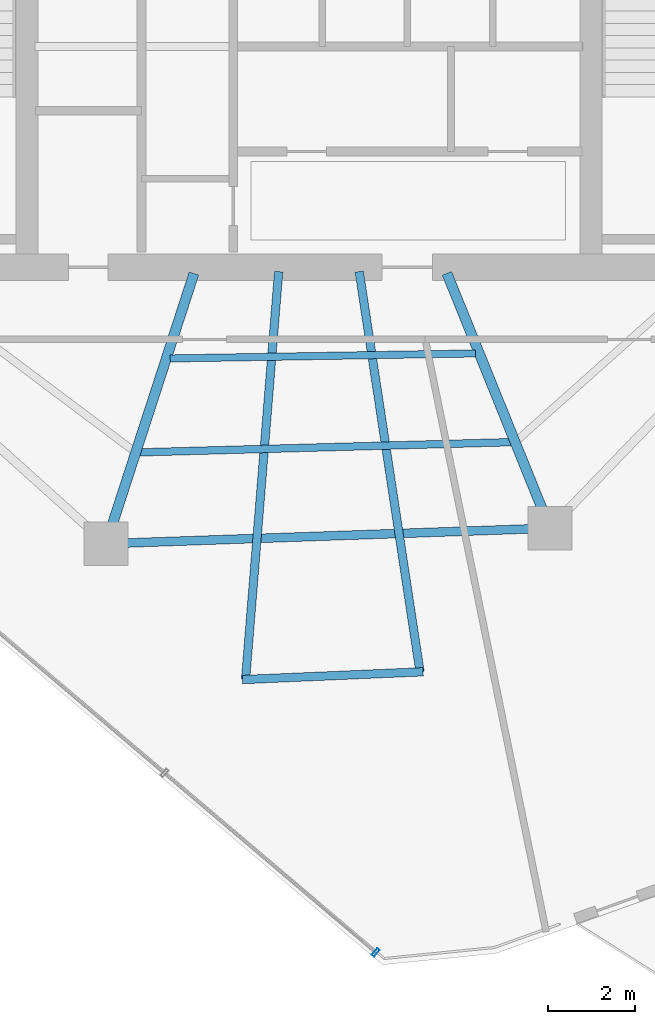
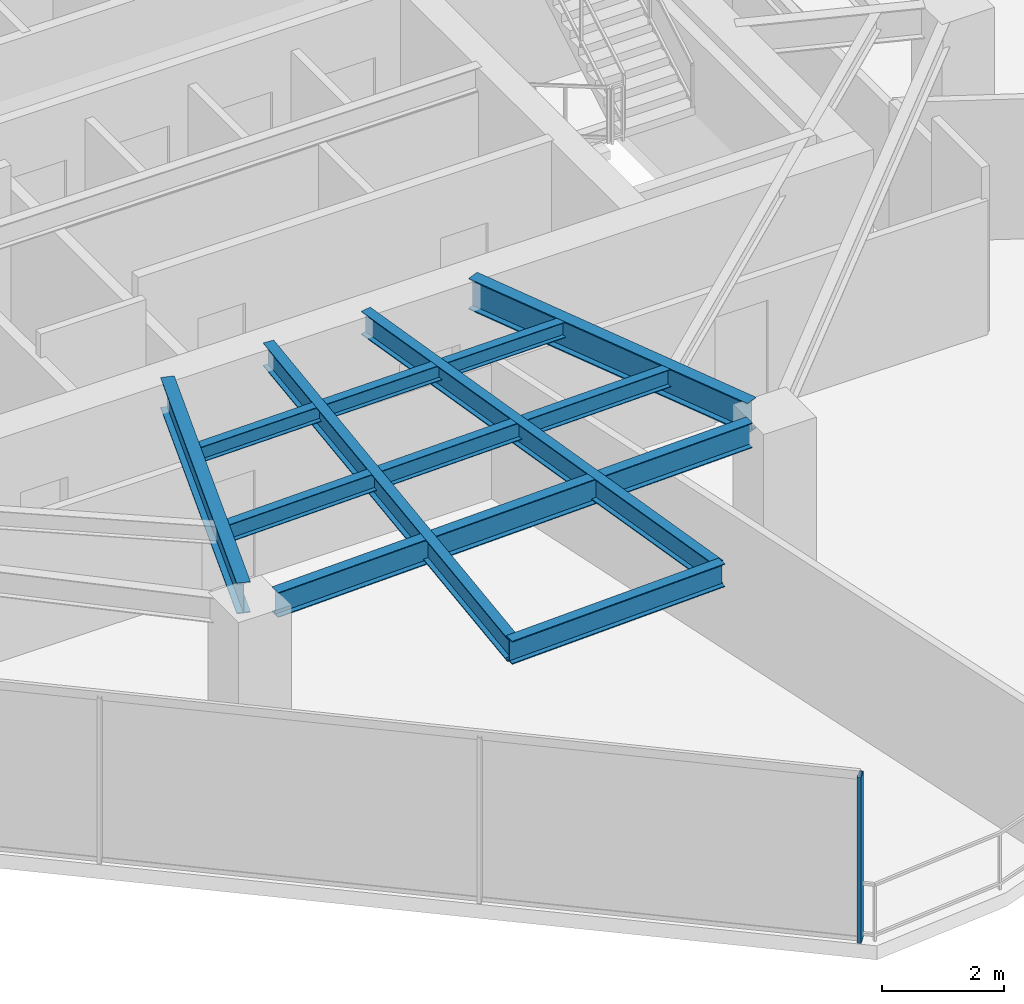
# One storey, part 5 of 21: 8 beams, 1 member, 1 element without a shape of its own.
"""IFC4 building model written with IfcOpenShell, lengths in metres."""

from ifc_helpers import new_model, si_unit, direction, frame, origin, origin_2d, place, context, subcontext, project, spatial, hollow_rectangle, i_section, extrude, material, layer, layer_set, material_profile, profile_set, type_object, element, aggregate, save


model = new_model("IFC4")

# Units and contexts
model_context = context("Model", 3, precision=1e-05, world=origin(), true_north=direction((0.0, 1.0)))
body_context = subcontext(model_context, "Body", "Model", "MODEL_VIEW")
ifc_project = project(units=[si_unit("LENGTHUNIT", "METRE"), si_unit("AREAUNIT", "SQUARE_METRE"), si_unit("VOLUMEUNIT", "CUBIC_METRE"), si_unit("PLANEANGLEUNIT", "RADIAN"), si_unit("MASSUNIT", "GRAM", prefix="KILO")], contexts=[model_context])

# Site, building, storey
site_placement = place(None, origin())
site = spatial("IfcSite", under=ifc_project, at=site_placement, CompositionType="ELEMENT")
building_placement = place(site_placement, origin())
building = spatial("IfcBuilding", under=site, at=building_placement, Name="Qarnah Convention Tower", CompositionType="ELEMENT")
storey_placement = place(building_placement, frame((0.0, 0.0, 140.10009765625)))
storey = spatial("IfcBuildingStorey", under=building, at=storey_placement, Name="L37", CompositionType="ELEMENT", Elevation=140.10009765625)

# Beams
ifc_material_1 = material(Name="Structural steel S355JR", Category="steel")
ifc_material_profile_1 = material_profile(ifc_material_1, i_section(OverallWidth=0.19189453125, OverallDepth=0.464111328125, WebThickness=0.010986328125, FlangeThickness=0.01806640625, at=origin_2d()), Name="W460X89")
ifc_profile_set_1 = profile_set([ifc_material_profile_1], Name="Structural steel S355JR")
beam_type_1 = type_object("IfcBeamType", Name="BM-CANT-W460A", PredefinedType="BEAM", material=ifc_profile_set_1)
beam_1_placement = place(storey_placement, frame((38.40087890625, 18.5009765625, 3.087890625), z_axis=(0.150195006727, -0.988656391247, 0.0), x_axis=(0.988656391247, 0.150195006727, 0.0)))
element("IfcBeam", 1, at=beam_1_placement, inside=storey, type_object=beam_type_1, Name="L37 beam BM-L37-CNT-03-1", PredefinedType="BEAM", context=body_context, shape_type="SweptSolid", body=[
    extrude(i_section(OverallWidth=0.19189453125, OverallDepth=0.464111328125, WebThickness=0.010986328125, FlangeThickness=0.01806640625, at=origin_2d()), origin(), (0.0, 0.0, 1.0), 9.261962890625),
])
beam_2_placement = place(storey_placement, frame((36.55810546875, 18.5, 3.087890625), z_axis=(-0.080897121946, -0.996722456685, 0.0), x_axis=(0.996722456685, -0.080897121946, 0.0)))
element("IfcBeam", 2, at=beam_2_placement, inside=storey, type_object=beam_type_1, Name="L37 beam BM-L37-CNT-03-2", PredefinedType="BEAM", context=body_context, shape_type="SweptSolid", body=[
    extrude(i_section(OverallWidth=0.19189453125, OverallDepth=0.464111328125, WebThickness=0.010986328125, FlangeThickness=0.01806640625, at=origin_2d()), origin(), (0.0, 0.0, 1.0), 9.358642578125),
])
beam_3_placement = place(storey_placement, frame((39.862060546875, 9.346923828125, 3.087890625), z_axis=(-0.999073236436, -0.043042632785, 0.0), x_axis=(0.043042632785, -0.999073236436, 0.0)))
element("IfcBeam", 3, at=beam_3_placement, inside=storey, type_object=beam_type_1, Name="L37 spandrel BM-L37-CTIE-03", PredefinedType="SPANDREL", context=body_context, shape_type="SweptSolid", body=[
    extrude(i_section(OverallWidth=0.19189453125, OverallDepth=0.464111328125, WebThickness=0.010986328125, FlangeThickness=0.01806640625, at=origin_2d()), origin(), (0.0, 0.0, 1.0), 4.135009765625),
])
ifc_material_profile_2 = material_profile(ifc_material_1, i_section(OverallWidth=0.166015625, OverallDepth=0.31201171875, WebThickness=0.007080078125, FlangeThickness=0.010986328125, at=origin_2d()), Name="W310X45")
ifc_profile_set_2 = profile_set([ifc_material_profile_2], Name="Structural steel S355JR")
beam_type_2 = type_object("IfcBeamType", Name="BM-JST-W310", PredefinedType="JOIST", material=ifc_profile_set_2)
beam_4_placement = place(storey_placement, frame((34.077880859375, 16.513916015625, 3.163818359375), z_axis=(0.999864288508, 0.016474360872, 0.0), x_axis=(-0.016474360872, 0.999864288508, 0.0)))
element("IfcBeam", 4, at=beam_4_placement, inside=storey, type_object=beam_type_2, Name="L37 joist BM-L37-IJST-07", PredefinedType="JOIST", context=body_context, shape_type="SweptSolid", body=[
    extrude(i_section(OverallWidth=0.166015625, OverallDepth=0.31201171875, WebThickness=0.007080078125, FlangeThickness=0.010986328125, at=origin_2d()), origin(), (0.0, 0.0, 1.0), 6.97998046875),
])
ifc_material_profile_3 = material_profile(ifc_material_1, i_section(OverallWidth=0.172119140625, OverallDepth=0.35595703125, WebThickness=0.007080078125, FlangeThickness=0.011962890625, at=origin_2d()), Name="W360X51")
ifc_profile_set_3 = profile_set([ifc_material_profile_3], Name="Structural steel S355JR")
beam_type_3 = type_object("IfcBeamType", Name="BM-JST-W360", PredefinedType="JOIST", material=ifc_profile_set_3)
beam_5_placement = place(storey_placement, frame((33.37890625, 14.365966796875, 3.141845703125), z_axis=(0.999623839225, 0.027425901128, 0.0), x_axis=(-0.027425901128, 0.999623839225, 0.0)))
element("IfcBeam", 5, at=beam_5_placement, inside=storey, type_object=beam_type_3, Name="L37 joist BM-L37-SJST-07", PredefinedType="JOIST", context=body_context, shape_type="SweptSolid", body=[
    extrude(i_section(OverallWidth=0.172119140625, OverallDepth=0.35595703125, WebThickness=0.007080078125, FlangeThickness=0.011962890625, at=origin_2d()), origin(), (0.0, 0.0, 1.0), 8.501220703125),
])
ifc_material_profile_4 = material_profile(ifc_material_1, i_section(OverallWidth=0.22998046875, OverallDepth=0.617919921875, WebThickness=0.012939453125, FlangeThickness=0.02197265625, at=origin_2d()), Name="W610X140")
ifc_profile_set_4 = profile_set([ifc_material_profile_4], Name="Structural steel S355JR")
beam_type_4 = type_object("IfcBeamType", Name="BM-RAD-W610A", PredefinedType="BEAM", material=ifc_profile_set_4)
beam_6_placement = place(storey_placement, frame((34.6201171875, 18.45703125, 3.010986328125), z_axis=(-0.30919796314, -0.950997696942, 0.0), x_axis=(0.950997696942, -0.30919796314, 0.0)))
element("IfcBeam", 6, at=beam_6_placement, inside=storey, type_object=beam_type_4, Name="L37 beam BM-L37-RAD-07", PredefinedType="BEAM", context=body_context, shape_type="SweptSolid", body=[
    extrude(i_section(OverallWidth=0.22998046875, OverallDepth=0.617919921875, WebThickness=0.012939453125, FlangeThickness=0.02197265625, at=origin_2d()), origin(), (0.0, 0.0, 1.0), 6.01904296875),
])
beam_7_placement = place(storey_placement, frame((40.406982421875, 18.4609375, 3.010986328125), z_axis=(0.374656949885, -0.927163507642, 0.0), x_axis=(0.927163507642, 0.374656949885, 0.0)))
element("IfcBeam", 7, at=beam_7_placement, inside=storey, type_object=beam_type_4, Name="L37 beam BM-L37-RAD-08", PredefinedType="BEAM", context=body_context, shape_type="SweptSolid", body=[
    extrude(i_section(OverallWidth=0.22998046875, OverallDepth=0.617919921875, WebThickness=0.012939453125, FlangeThickness=0.02197265625, at=origin_2d()), origin(), (0.0, 0.0, 1.0), 5.80810546875),
])
ifc_material_profile_5 = material_profile(ifc_material_1, i_section(OverallWidth=0.199951171875, OverallDepth=0.5, WebThickness=0.010009765625, FlangeThickness=0.01611328125, at=origin_2d()), Name="IPE500")
ifc_profile_set_5 = profile_set([ifc_material_profile_5], Name="Structural steel S355JR")
beam_type_5 = type_object("IfcBeamType", Name="BM-SPN-IPE500", PredefinedType="SPANDREL", material=ifc_profile_set_5)
beam_8_placement = place(storey_placement, frame((33.10107421875, 12.2939453125, 3.06982421875), z_axis=(0.999391665003, 0.034875491717, 0.0), x_axis=(-0.034875491717, 0.999391665003, 0.0)))
element("IfcBeam", 8, at=beam_8_placement, inside=storey, type_object=beam_type_5, Name="L37 spandrel BM-L37-SPN-07", PredefinedType="SPANDREL", context=body_context, shape_type="SweptSolid", body=[
    extrude(i_section(OverallWidth=0.199951171875, OverallDepth=0.5, WebThickness=0.010009765625, FlangeThickness=0.01611328125, at=origin_2d()), origin(), (0.0, 0.0, 1.0), 9.177490234375),
])

# Curtain wall, member
ifc_material_2 = material(Name="Tempered Low-E dark glass", Category="glass")
ifc_layer = layer(ifc_material_2, 0.172119140625)
ifc_layer_set = layer_set([ifc_layer], Name="Tempered Low-E dark glass")
curtain_wall_type = type_object("IfcCurtainWallType", Name="CWS-03", PredefinedType="NOTDEFINED", material=ifc_layer_set)
curtain_wall_placement = place(storey_placement, origin())
curtain_wall = element("IfcCurtainWall", 9, at=curtain_wall_placement, inside=storey, type_object=curtain_wall_type, Name="L37 unitised curtain wall CW-L37-F2", PredefinedType="NOTDEFINED")
ifc_material_3 = material(Name="Black anodised aluminium", Category="aluminium")
ifc_material_profile_6 = material_profile(ifc_material_3, hollow_rectangle(XDim=0.070068359375, YDim=0.199951171875, WallThickness=0.0048828125, at=origin_2d()), Name="MUL-70X200")
ifc_profile_set_6 = profile_set([ifc_material_profile_6], Name="Black anodised aluminium")
member_type = type_object("IfcMemberType", Name="MUL-T3", PredefinedType="MULLION", material=ifc_profile_set_6)
member_placement = place(storey_placement, frame((38.779052734375, 2.929931640625, 0.0), z_axis=(0.0, 0.0, 1.0), x_axis=(-0.762449207872, 0.647048070405, 0.0)))
member = element("IfcMember", 10, at=member_placement, type_object=member_type, Name="CW-L37-F2 mullion 1", PredefinedType="MULLION", context=body_context, shape_type="SweptSolid", body=[
    extrude(hollow_rectangle(XDim=0.070068359375, YDim=0.199951171875, WallThickness=0.0048828125, at=origin_2d()), origin(), (0.0, 0.0, 1.0), 3.31982421875),
])
aggregate(curtain_wall, [member])

save(model, "model.ifc")
